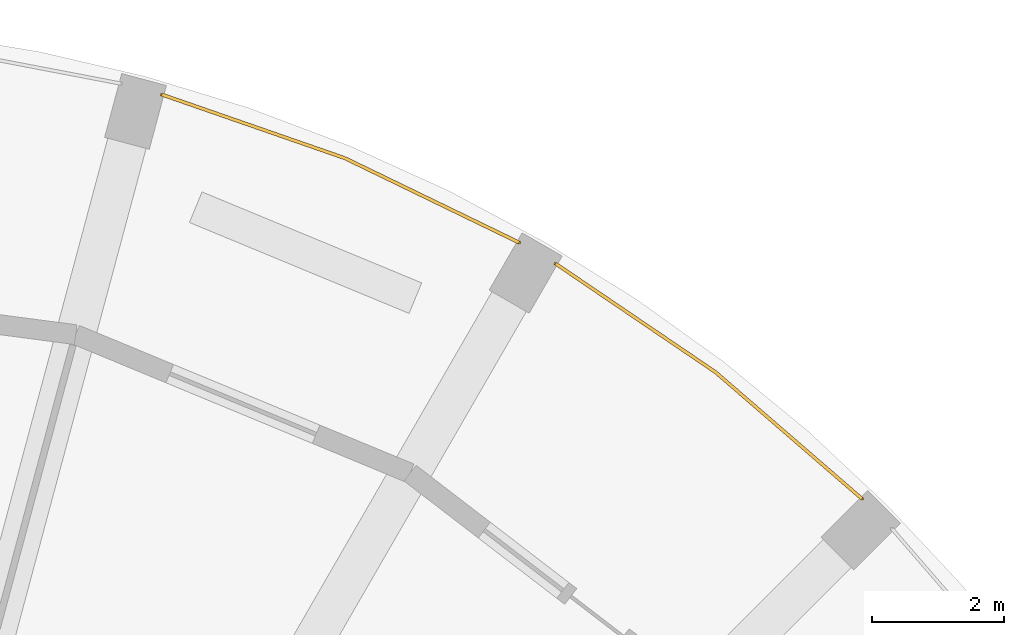
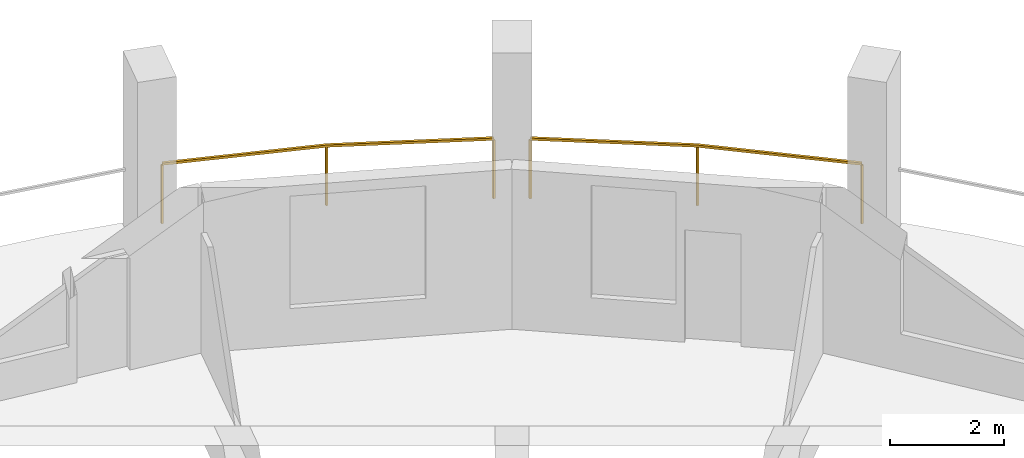
# One storey, part 8 of 8: 2 railings.
"""IFC4 building model written with IfcOpenShell, lengths in metres."""

from ifc_helpers import new_model, si_unit, direction, frame, origin, origin_2d, place, context, subcontext, project, spatial, rectangle, extrude, material, type_object, element, save


model = new_model("IFC4")

# Units and contexts
model_context = context("Model", 3, precision=1e-05, world=origin(), true_north=direction((0.0, 1.0)))
body_context = subcontext(model_context, "Body", "Model", "MODEL_VIEW")
ifc_project = project(units=[si_unit("LENGTHUNIT", "METRE"), si_unit("AREAUNIT", "SQUARE_METRE"), si_unit("VOLUMEUNIT", "CUBIC_METRE"), si_unit("PLANEANGLEUNIT", "RADIAN"), si_unit("MASSUNIT", "GRAM", prefix="KILO")], contexts=[model_context])

# Site, building, storey
site_placement = place(None, origin())
site = spatial("IfcSite", under=ifc_project, at=site_placement, CompositionType="ELEMENT")
building_placement = place(site_placement, origin())
building = spatial("IfcBuilding", under=site, at=building_placement, Name="Torre Triforio", CompositionType="ELEMENT")
storey_placement = place(building_placement, frame((0.0, 0.0, 253.800048828125)))
storey = spatial("IfcBuildingStorey", under=building, at=storey_placement, Name="L58", CompositionType="ELEMENT", Elevation=253.800048828125)

# Railings
ifc_material = material(Name="Stainless steel AISI 316", Category="steel")
railing_type = type_object("IfcRailingType", Name="Loggia guard 1300", PredefinedType="GUARDRAIL", material=ifc_material)
railing_1_placement = place(storey_placement, frame((17.34521484375, 17.7978515625, 0.0)))
element("IfcRailing", 1, at=railing_1_placement, inside=storey, type_object=railing_type, Name="Loggia guard L58 bay 04", PredefinedType="GUARDRAIL", context=body_context, shape_type="SweptSolid", body=[
    extrude(rectangle(XDim=0.050048828125, YDim=0.050048828125, at=origin_2d()), frame((0.0, 0.0, 1.27490234375), z_axis=(-0.756510170049, 0.653981928353, 0.0), x_axis=(-0.653981928353, -0.756510170049, 0.0)), (0.0, 0.0, 1.0), 2.93115234375),
    extrude(rectangle(XDim=0.050048828125, YDim=0.050048828125, at=origin_2d()), frame((-2.217529296875, 1.9169921875, 1.27490234375), z_axis=(-0.827499269821, 0.561466791934, 0.0), x_axis=(-0.561466791934, -0.827499269821, 0.0)), (0.0, 0.0, 1.0), 2.93115234375),
    extrude(rectangle(XDim=0.0400390625, YDim=0.0400390625, at=origin_2d()), origin(), (0.0, 0.0, 1.0), 1.25),
    extrude(rectangle(XDim=0.0400390625, YDim=0.0400390625, at=origin_2d()), frame((-2.217529296875, 1.9169921875, 0.0)), (0.0, 0.0, 1.0), 1.25),
    extrude(rectangle(XDim=0.0400390625, YDim=0.0400390625, at=origin_2d()), frame((-4.64306640625, 3.562744140625, 0.0)), (0.0, 0.0, 1.0), 1.25),
])
railing_2_placement = place(storey_placement, frame((12.14794921875, 21.6806640625, 0.0)))
element("IfcRailing", 2, at=railing_2_placement, inside=storey, type_object=railing_type, Name="Loggia guard L58 bay 05", PredefinedType="GUARDRAIL", context=body_context, shape_type="SweptSolid", body=[
    extrude(rectangle(XDim=0.050048828125, YDim=0.050048828125, at=origin_2d()), frame((0.0, 0.0, 1.27490234375), z_axis=(-0.899986429279, 0.435917913275, 0.0), x_axis=(-0.435917913275, -0.899986429279, 0.0)), (0.0, 0.0, 1.0), 2.931396484375),
    extrude(rectangle(XDim=0.050048828125, YDim=0.050048828125, at=origin_2d()), frame((-2.63818359375, 1.27783203125, 1.27490234375), z_axis=(-0.944627058264, 0.328145883403, 0.0), x_axis=(-0.328145883403, -0.944627058264, 0.0)), (0.0, 0.0, 1.0), 2.931396484375),
    extrude(rectangle(XDim=0.0400390625, YDim=0.0400390625, at=origin_2d()), origin(), (0.0, 0.0, 1.0), 1.25),
    extrude(rectangle(XDim=0.0400390625, YDim=0.0400390625, at=origin_2d()), frame((-2.63818359375, 1.27783203125, 0.0)), (0.0, 0.0, 1.0), 1.25),
    extrude(rectangle(XDim=0.0400390625, YDim=0.0400390625, at=origin_2d()), frame((-5.4072265625, 2.23974609375, 0.0)), (0.0, 0.0, 1.0), 1.25),
])

save(model, "model.ifc")
